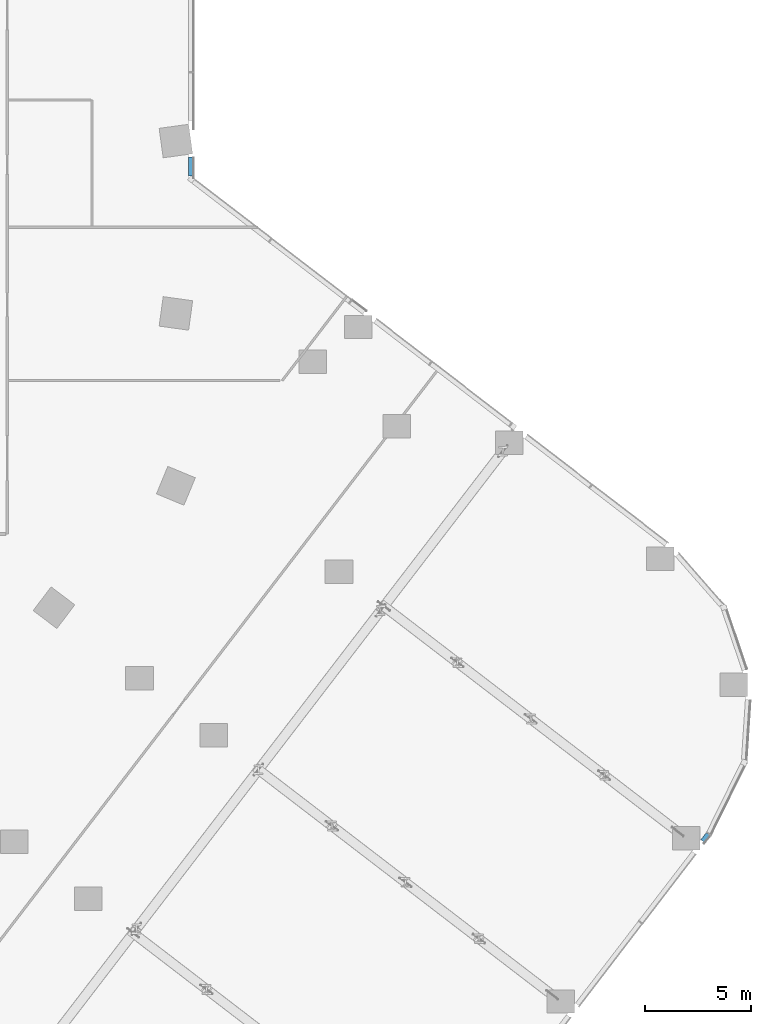
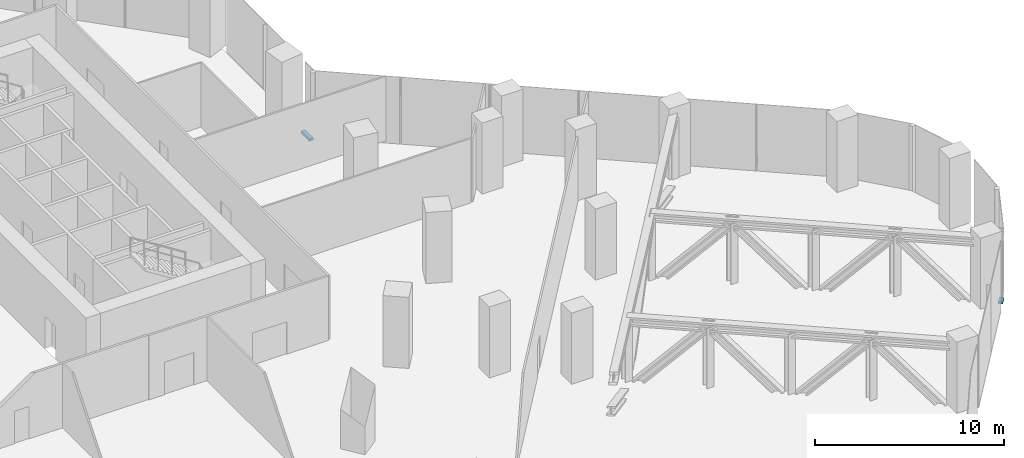
# One storey, part 14 of 30: 2 members, 2 elements without a shape of their own.
"""IFC4 building model written with IfcOpenShell, lengths in metres."""

from ifc_helpers import new_model, si_unit, direction, frame, origin, origin_2d, place, context, subcontext, project, spatial, rectangle, extrude, material, material_profile, profile_set, type_object, element, aggregate, save


model = new_model("IFC4")

# Units and contexts
model_context = context("Model", 3, precision=1e-05, world=origin(), true_north=direction((0.0, 1.0)))
body_context = subcontext(model_context, "Body", "Model", "MODEL_VIEW")
ifc_project = project(units=[si_unit("LENGTHUNIT", "METRE"), si_unit("AREAUNIT", "SQUARE_METRE"), si_unit("VOLUMEUNIT", "CUBIC_METRE"), si_unit("PLANEANGLEUNIT", "RADIAN"), si_unit("MASSUNIT", "GRAM", prefix="KILO")], contexts=[model_context])

# Site, building, storey
site_placement = place(None, origin())
site = spatial("IfcSite", under=ifc_project, at=site_placement, CompositionType="ELEMENT")
building_placement = place(site_placement, origin())
building = spatial("IfcBuilding", under=site, at=building_placement, Name="Orlundy Tower", CompositionType="ELEMENT")
storey_placement = place(building_placement, frame((0.0, 0.0, 20.5)))
storey = spatial("IfcBuildingStorey", under=building, at=storey_placement, Name="L03", CompositionType="ELEMENT", Elevation=20.5)

# Curtain wall, member
ifc_material_1 = material(Name="Aluminium bronze anodised", Category="aluminium")
curtain_wall_type = type_object("IfcCurtainWallType", Name="CW2 wall", PredefinedType="NOTDEFINED", material=ifc_material_1)
curtain_wall_1_placement = place(storey_placement, origin())
curtain_wall_1 = element("IfcCurtainWall", 1, at=curtain_wall_1_placement, inside=storey, type_object=curtain_wall_type, Name="CW2 run 017", PredefinedType="NOTDEFINED")
ifc_material_2 = material(Name="Aluminium bronze anodised", Category="aluminium")
ifc_material_profile = material_profile(ifc_material_2, rectangle(XDim=0.25, YDim=0.14990234375, at=origin_2d()), Name="CW2 transom 250x150")
ifc_profile_set = profile_set([ifc_material_profile], Name="Aluminium bronze anodised")
member_type = type_object("IfcMemberType", Name="CW2 transom 250x150", PredefinedType="USERDEFINED", material=ifc_profile_set)
member_1_placement = place(storey_placement, frame((30.125, 3.301025390625, -0.324951171875), z_axis=(0.0, -1.0, 0.0), x_axis=(1.0, 0.0, 0.0)))
member_1 = element("IfcMember", 2, at=member_1_placement, type_object=member_type, Name="CW2 transom", ObjectType="TRANSOM", PredefinedType="USERDEFINED", context=body_context, shape_type="SweptSolid", body=[
    extrude(rectangle(XDim=0.25, YDim=0.14990234375, at=origin_2d()), origin(), (0.0, 0.0, 1.0), 0.891845703125),
])
aggregate(curtain_wall_1, [member_1])

curtain_wall_2_placement = place(storey_placement, origin())
curtain_wall_2 = element("IfcCurtainWall", 3, at=curtain_wall_2_placement, inside=storey, type_object=curtain_wall_type, Name="CW2 run 023", PredefinedType="NOTDEFINED")
member_2_placement = place(storey_placement, frame((54.4814453125, -28.586181640625, -0.324951171875), z_axis=(-0.608750379399, -0.793361818833, 0.0), x_axis=(0.793361818833, -0.608750379399, 0.0)))
member_2 = element("IfcMember", 4, at=member_2_placement, type_object=member_type, Name="CW2 transom", ObjectType="TRANSOM", PredefinedType="USERDEFINED", context=body_context, shape_type="SweptSolid", body=[
    extrude(rectangle(XDim=0.25, YDim=0.14990234375, at=origin_2d()), origin(), (0.0, 0.0, 1.0), 0.41796875),
])
aggregate(curtain_wall_2, [member_2])

save(model, "model.ifc")
